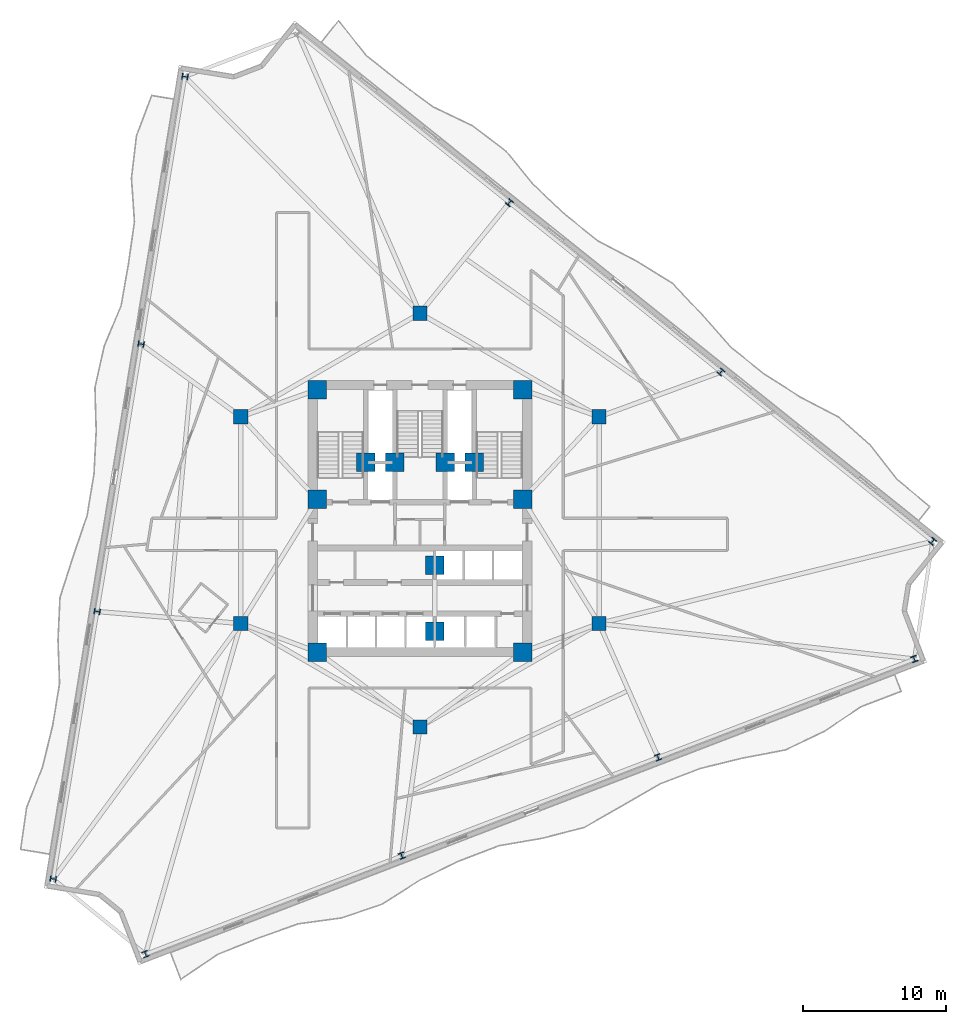
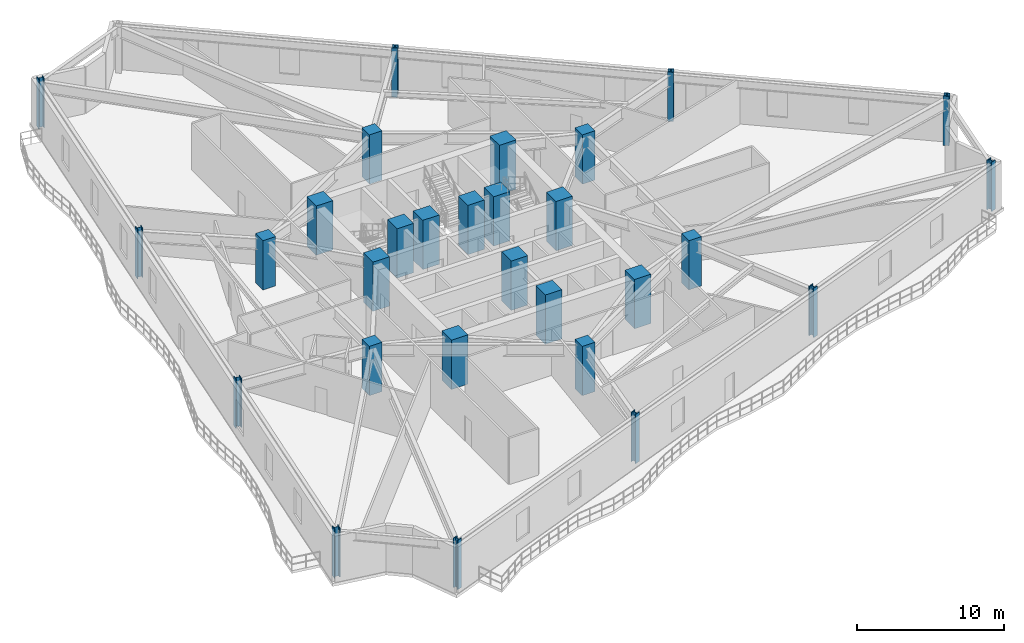
# One storey, part 1 of 11: 29 columns.
"""IFC4 building model written with IfcOpenShell, lengths in metres."""

from ifc_helpers import new_model, si_unit, direction, frame, origin, origin_2d, place, context, subcontext, project, spatial, rectangle, i_section, extrude, material, material_profile, profile_set, type_object, element, save


model = new_model("IFC4")

# Units and contexts
model_context = context("Model", 3, precision=1e-05, world=origin(), true_north=direction((0.0, 1.0)))
body_context = subcontext(model_context, "Body", "Model", "MODEL_VIEW")
ifc_project = project(units=[si_unit("LENGTHUNIT", "METRE"), si_unit("AREAUNIT", "SQUARE_METRE"), si_unit("VOLUMEUNIT", "CUBIC_METRE"), si_unit("PLANEANGLEUNIT", "RADIAN"), si_unit("MASSUNIT", "GRAM", prefix="KILO")], contexts=[model_context])

# Site, building, storey
site_placement = place(None, origin())
site = spatial("IfcSite", under=ifc_project, at=site_placement, CompositionType="ELEMENT")
building_placement = place(site_placement, origin())
building = spatial("IfcBuilding", under=site, at=building_placement, Name="Apsidion Concourse Tower", CompositionType="ELEMENT")
storey_placement = place(building_placement, frame((0.0, 0.0, 140.39990234375)))
storey = spatial("IfcBuildingStorey", under=building, at=storey_placement, Name="L32", CompositionType="ELEMENT", Elevation=140.39990234375)

# Columns
ifc_material_1 = material(Name="Concrete C50/60", Category="concrete")
ifc_material_profile_1 = material_profile(ifc_material_1, rectangle(XDim=1.0, YDim=1.0, at=origin_2d()), Name="RC 1000x1000")
ifc_profile_set_1 = profile_set([ifc_material_profile_1], Name="Concrete C50/60")
column_type_1 = type_object("IfcColumnType", Name="COL-RC-1000", PredefinedType="COLUMN", material=ifc_profile_set_1)
for number, where, z_axis, x_axis, name in (
    (1, (-12.56005859375, -7.25, 0.0), (0.0, 0.0, 1.0), (1.0, 0.0, 0.0), "L32 Interior Spine Column IC1"),
    (2, (12.56005859375, -7.25, 0.0), (0.0, 0.0, 1.0), (1.0, 0.0, 0.0), "L32 Interior Spine Column IC2"),
    (3, (12.56005859375, 7.25, 0.0), (0.0, 0.0, 1.0), (1.0, 0.0, 0.0), "L32 Interior Spine Column IC3"),
    (4, (0.0, 14.5, 0.0), (0.0, 0.0, 1.0), (1.0, 0.0, 0.0), "L32 Interior Spine Column IC4"),
    (5, (-12.56005859375, 7.25, 0.0), (0.0, 0.0, 1.0), (1.0, 0.0, 0.0), "L32 Interior Spine Column IC5"),
    (6, (0.0, -14.5, 0.0), (0.0, 0.0, 1.0), (1.0, 0.0, 0.0), "L32 Interior Spine Column IC6"),
):
    element("IfcColumn", number, at=place(storey_placement, frame(where, z_axis=z_axis, x_axis=x_axis)), inside=storey, type_object=column_type_1, Name=name, PredefinedType="COLUMN", context=body_context, shape_type="SweptSolid", body=[
        extrude(rectangle(XDim=1.0, YDim=1.0, at=origin_2d()), origin(), (0.0, 0.0, 1.0), 4.10009765625),
    ])
ifc_material_profile_2 = material_profile(ifc_material_1, rectangle(XDim=1.300048828125, YDim=1.300048828125, at=origin_2d()), Name="RC 1300x1300")
ifc_profile_set_2 = profile_set([ifc_material_profile_2], Name="Concrete C50/60")
column_type_2 = type_object("IfcColumnType", Name="COL-RC-1300", PredefinedType="COLUMN", material=ifc_profile_set_2)
for number, where, z_axis, x_axis, name in (
    (7, (-7.199951171875, -9.25, 0.0), (0.0, 0.0, 1.0), (1.0, 0.0, 0.0), "L32 Core Super-Column SC1"),
    (8, (7.199951171875, -9.25, 0.0), (0.0, 0.0, 1.0), (1.0, 0.0, 0.0), "L32 Core Super-Column SC2"),
    (9, (7.199951171875, 1.449951171875, 0.0), (0.0, 0.0, 1.0), (1.0, 0.0, 0.0), "L32 Core Super-Column SC3"),
    (10, (7.199951171875, 9.14990234375, 0.0), (0.0, 0.0, 1.0), (1.0, 0.0, 0.0), "L32 Core Super-Column SC4"),
    (11, (-7.199951171875, 9.14990234375, 0.0), (0.0, 0.0, 1.0), (1.0, 0.0, 0.0), "L32 Core Super-Column SC5"),
    (12, (-7.199951171875, 1.449951171875, 0.0), (0.0, 0.0, 1.0), (1.0, 0.0, 0.0), "L32 Core Super-Column SC6"),
    (13, (-3.800048828125, 4.050048828125, 0.0), (0.0, 0.0, 1.0), (1.0, 0.0, 0.0), "L32 Core Super-Column CC1"),
    (14, (3.800048828125, 4.050048828125, 0.0), (0.0, 0.0, 1.0), (1.0, 0.0, 0.0), "L32 Core Super-Column CC2"),
    (15, (-1.77490234375, 4.050048828125, 0.0), (0.0, 0.0, 1.0), (1.0, 0.0, 0.0), "L32 Core Super-Column CC3"),
    (16, (1.77490234375, 4.050048828125, 0.0), (0.0, 0.0, 1.0), (1.0, 0.0, 0.0), "L32 Core Super-Column CC4"),
    (17, (1.02490234375, -3.14990234375, 0.0), (0.0, 0.0, 1.0), (1.0, 0.0, 0.0), "L32 Core Super-Column CC5"),
    (18, (1.02490234375, -7.800048828125, 0.0), (0.0, 0.0, 1.0), (1.0, 0.0, 0.0), "L32 Core Super-Column CC6"),
):
    element("IfcColumn", number, at=place(storey_placement, frame(where, z_axis=z_axis, x_axis=x_axis)), inside=storey, type_object=column_type_2, Name=name, PredefinedType="COLUMN", context=body_context, shape_type="SweptSolid", body=[
        extrude(rectangle(XDim=1.300048828125, YDim=1.300048828125, at=origin_2d()), origin(), (0.0, 0.0, 1.0), 4.10009765625),
    ])
ifc_material_2 = material(Name="Structural steel ASTM A992 Grade 50", Category="steel")
ifc_material_profile_3 = material_profile(ifc_material_2, i_section(OverallWidth=0.410888671875, OverallDepth=0.43408203125, WebThickness=0.035888671875, FlangeThickness=0.057373046875, at=origin_2d()), Name="W14X311")
ifc_profile_set_3 = profile_set([ifc_material_profile_3], Name="Structural steel ASTM A992 Grade 50")
column_type_3 = type_object("IfcColumnType", Name="COL-W14-311", PredefinedType="COLUMN", material=ifc_profile_set_3)
for number, where, z_axis, x_axis, name in (
    (19, (-16.477294921875, 31.100341796875, 0.0), (0.0, 0.0, 1.0), (0.162120515372, 0.986770965572, 0.0), "L32 Rotated Perimeter Column PC01"),
    (20, (-19.55859375, 12.34619140625, 0.0), (0.0, 0.0, 1.0), (0.162120515372, 0.986770965572, 0.0), "L32 Rotated Perimeter Column PC02"),
    (21, (-22.6396484375, -6.407958984375, 0.0), (0.0, 0.0, 1.0), (0.162120515372, 0.986770965572, 0.0), "L32 Rotated Perimeter Column PC03"),
    (22, (-25.720703125, -25.162109375, 0.0), (0.0, 0.0, 1.0), (0.162120515372, 0.986770965572, 0.0), "L32 Rotated Perimeter Column PC04"),
    (23, (-19.247314453125, -30.435302734375, 0.0), (0.0, 0.0, 1.0), (0.933580426497, 0.358367949545, 0.0), "L32 Rotated Perimeter Column PC05"),
    (24, (-1.275146484375, -23.53662109375, 0.0), (0.0, 0.0, 1.0), (0.933580426497, 0.358367949545, 0.0), "L32 Rotated Perimeter Column PC06"),
    (25, (16.69677734375, -16.6376953125, 0.0), (0.0, 0.0, 1.0), (0.933580426497, 0.358367949545, 0.0), "L32 Rotated Perimeter Column PC07"),
    (26, (34.668701171875, -9.739013671875, 0.0), (0.0, 0.0, 1.0), (0.933580426497, 0.358367949545, 0.0), "L32 Rotated Perimeter Column PC08"),
    (27, (35.951171875, -1.488525390625, 0.0), (0.0, 0.0, 1.0), (-0.780757676633, 0.624833938242, 0.0), "L32 Rotated Perimeter Column PC09"),
    (28, (21.1123046875, 10.38671875, 0.0), (0.0, 0.0, 1.0), (-0.780757676633, 0.624833938242, 0.0), "L32 Rotated Perimeter Column PC10"),
    (29, (6.2734375, 22.26220703125, 0.0), (0.0, 0.0, 1.0), (-0.780757676633, 0.624833938242, 0.0), "L32 Rotated Perimeter Column PC11"),
):
    element("IfcColumn", number, at=place(storey_placement, frame(where, z_axis=z_axis, x_axis=x_axis)), inside=storey, type_object=column_type_3, Name=name, PredefinedType="COLUMN", context=body_context, shape_type="SweptSolid", body=[
        extrude(i_section(OverallWidth=0.410888671875, OverallDepth=0.43408203125, WebThickness=0.035888671875, FlangeThickness=0.057373046875, at=origin_2d()), origin(), (0.0, 0.0, 1.0), 4.10009765625),
    ])

save(model, "model.ifc")
